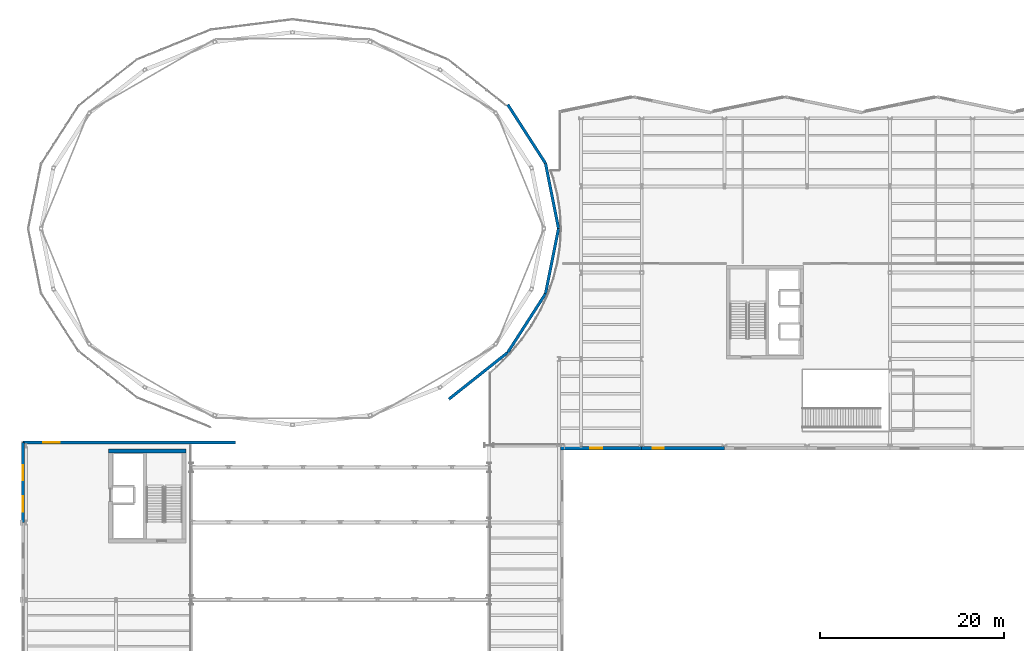
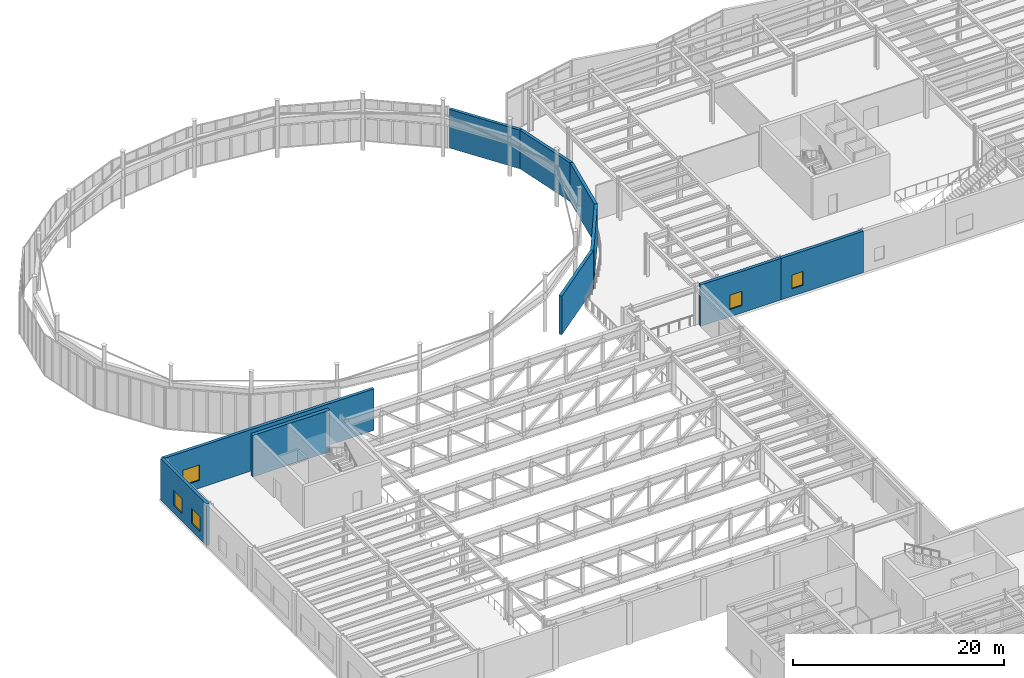
# One storey, part 74 of 91: 10 walls, 5 windows, 5 openings.
"""IFC4 building model written with IfcOpenShell, lengths in metres."""

from ifc_helpers import new_model, si_unit, direction, frame, frame_2d, origin, place, context, subcontext, project, spatial, rectangle, extrude, material, layer, layer_set, type_object, element, fill, save


model = new_model("IFC4")

# Units and contexts
model_context = context("Model", 3, precision=1e-05, world=origin(), true_north=direction((0.0, 1.0)))
body_context = subcontext(model_context, "Body", "Model", "MODEL_VIEW")
ifc_project = project(units=[si_unit("LENGTHUNIT", "METRE"), si_unit("AREAUNIT", "SQUARE_METRE"), si_unit("VOLUMEUNIT", "CUBIC_METRE"), si_unit("PLANEANGLEUNIT", "RADIAN"), si_unit("MASSUNIT", "GRAM", prefix="KILO")], contexts=[model_context])

# Site, building, storey
site_placement = place(None, origin())
site = spatial("IfcSite", under=ifc_project, at=site_placement, CompositionType="ELEMENT")
building_placement = place(site_placement, origin())
building = spatial("IfcBuilding", under=site, at=building_placement, Name="Sollismere Congress Hotel", CompositionType="ELEMENT")
storey_placement = place(building_placement, frame((0.0, 0.0, 10.800048828125)))
storey = spatial("IfcBuildingStorey", under=building, at=storey_placement, Name="L02", CompositionType="ELEMENT", Elevation=10.800048828125)

# Wall, opening, window
ifc_material_1 = material(Name="Colorado Buff Sandstone and Limestone Backup C40/50", Category="masonry")
ifc_layer_1 = layer(ifc_material_1, 0.340087890625, Name="Colorado Buff Sandstone and Limestone Backup C40/50")
ifc_layer_set_1 = layer_set([ifc_layer_1], Name="Colorado Buff Sandstone and Limestone Backup C40/50")
wall_type_1 = type_object("IfcWallType", Name="WL-EXT340", PredefinedType="STANDARD", material=ifc_layer_set_1)
wall_1_placement = place(storey_placement, frame((58.179931640625, 66.489990234375, 0.0), z_axis=(0.0, 0.0, 1.0), x_axis=(1.0, 0.0, 0.0)))
wall_1 = element("IfcWall", 1, at=wall_1_placement, inside=storey, type_object=wall_type_1, Name="Exterior wall EW-L02-049", PredefinedType="STANDARD", context=body_context, shape_type="SweptSolid", body=[
    extrude(rectangle(XDim=8.820068359375, YDim=0.340087890625, at=frame_2d((4.41015625, 0.0))), origin(), (0.0, 0.0, 1.0), 4.800048828125),
])
opening_1_placement = place(wall_1_placement, frame((3.199951171875, 0.0, 0.85009765625)))
opening_1 = element("IfcOpeningElement", 2, at=opening_1_placement, cuts=wall_1, Name="Opening W-L02-043", PredefinedType="OPENING", context=body_context, shape_type="SweptSolid", body=[
    extrude(rectangle(XDim=1.35009765625, YDim=1.64990234375, at=frame_2d((0.675048828125, 0.824951171875))), frame((0.0, 0.179931640625, 0.0), z_axis=(0.0, -1.0, 0.0), x_axis=(1.0, 0.0, 0.0)), (0.0, 0.0, 1.0), 0.360107421875),
])
ifc_material_2 = material(Name="Thermally Broken Bronze Aluminum & Low-E Glass", Category="aluminium")
window_type_1 = type_object("IfcWindowType", Name="WN-P135x165", PartitioningType="SINGLE_PANEL", PredefinedType="WINDOW", material=ifc_material_2)
window_1_placement = place(opening_1_placement, origin())
window_1 = element("IfcWindow", 3, at=window_1_placement, inside=storey, type_object=window_type_1, Name="WIN-W-L02-043", OverallHeight=1.64990234375, OverallWidth=1.35009765625, PartitioningType="SINGLE_PANEL", PredefinedType="WINDOW", context=body_context, shape_type="SweptSolid", body=[
    extrude(rectangle(XDim=1.35009765625, YDim=1.64990234375, at=frame_2d((0.675048828125, 0.824951171875))), frame((0.0, 0.030029296875, 0.0), z_axis=(0.0, -1.0, 0.0), x_axis=(1.0, 0.0, 0.0)), (0.0, 0.0, 1.0), 0.06005859375),
])
fill(opening_1, window_1)

wall_2_placement = place(storey_placement, frame((67.0, 66.489990234375, 0.0), z_axis=(0.0, 0.0, 1.0), x_axis=(1.0, 0.0, 0.0)))
wall_2 = element("IfcWall", 4, at=wall_2_placement, inside=storey, type_object=wall_type_1, Name="Exterior wall EW-L02-050", PredefinedType="STANDARD", context=body_context, shape_type="SweptSolid", body=[
    extrude(rectangle(XDim=9.0, YDim=0.340087890625, at=frame_2d((4.5, 0.0))), origin(), (0.0, 0.0, 1.0), 4.800048828125),
])
opening_2_placement = place(wall_2_placement, frame((1.199951171875, 0.0, 0.85009765625)))
opening_2 = element("IfcOpeningElement", 5, at=opening_2_placement, cuts=wall_2, Name="Opening W-L02-044", PredefinedType="OPENING", context=body_context, shape_type="SweptSolid", body=[
    extrude(rectangle(XDim=1.199951171875, YDim=1.60009765625, at=frame_2d((0.60009765625, 0.800048828125))), frame((0.0, 0.179931640625, 0.0), z_axis=(0.0, -1.0, 0.0), x_axis=(1.0, 0.0, 0.0)), (0.0, 0.0, 1.0), 0.360107421875),
])
window_type_2 = type_object("IfcWindowType", Name="WN-P120x160", PartitioningType="SINGLE_PANEL", PredefinedType="WINDOW", material=ifc_material_2)
window_2_placement = place(opening_2_placement, origin())
window_2 = element("IfcWindow", 6, at=window_2_placement, inside=storey, type_object=window_type_2, Name="WIN-W-L02-044", OverallHeight=1.60009765625, OverallWidth=1.199951171875, PartitioningType="SINGLE_PANEL", PredefinedType="WINDOW", context=body_context, shape_type="SweptSolid", body=[
    extrude(rectangle(XDim=1.199951171875, YDim=1.60009765625, at=frame_2d((0.60009765625, 0.800048828125))), frame((0.0, 0.030029296875, 0.0), z_axis=(0.0, -1.0, 0.0), x_axis=(1.0, 0.0, 0.0)), (0.0, 0.0, 1.0), 0.06005859375),
])
fill(opening_2, window_2)

# Wall, openings, windows
wall_3_placement = place(storey_placement, frame((-0.31005859375, 58.39990234375, 0.0), z_axis=(0.0, 0.0, 1.0), x_axis=(0.0, 1.0, 0.0)))
wall_3 = element("IfcWall", 7, at=wall_3_placement, inside=storey, type_object=wall_type_1, Name="Exterior wall EW-L02-153", PredefinedType="STANDARD", context=body_context, shape_type="SweptSolid", body=[
    extrude(rectangle(XDim=8.7001953125, YDim=0.340087890625, at=frame_2d((4.35009765625, 0.0))), origin(), (0.0, 0.0, 1.0), 4.800048828125),
])
opening_3_placement = place(wall_3_placement, frame((1.199951171875, 0.0, 0.85009765625)))
opening_3 = element("IfcOpeningElement", 8, at=opening_3_placement, cuts=wall_3, Name="Opening W-L02-136", PredefinedType="OPENING", context=body_context, shape_type="SweptSolid", body=[
    extrude(rectangle(XDim=1.64990234375, YDim=1.75, at=frame_2d((0.824951171875, 0.875))), frame((0.0, 0.179931640625, 0.0), z_axis=(0.0, -1.0, 0.0), x_axis=(1.0, 0.0, 0.0)), (0.0, 0.0, 1.0), 0.360107421875),
])
opening_4_placement = place(wall_3_placement, frame((4.60009765625, 0.0, 0.85009765625)))
opening_4 = element("IfcOpeningElement", 9, at=opening_4_placement, cuts=wall_3, Name="Opening W-L02-137", PredefinedType="OPENING", context=body_context, shape_type="SweptSolid", body=[
    extrude(rectangle(XDim=1.64990234375, YDim=1.75, at=frame_2d((0.824951171875, 0.875))), frame((0.0, 0.179931640625, 0.0), z_axis=(0.0, -1.0, 0.0), x_axis=(1.0, 0.0, 0.0)), (0.0, 0.0, 1.0), 0.360107421875),
])
window_type_3 = type_object("IfcWindowType", Name="WN-P165x175", PartitioningType="SINGLE_PANEL", PredefinedType="WINDOW", material=ifc_material_2)
window_3_placement = place(opening_3_placement, origin())
window_3 = element("IfcWindow", 10, at=window_3_placement, inside=storey, type_object=window_type_3, Name="WIN-W-L02-136", OverallHeight=1.75, OverallWidth=1.64990234375, PartitioningType="SINGLE_PANEL", PredefinedType="WINDOW", context=body_context, shape_type="SweptSolid", body=[
    extrude(rectangle(XDim=1.64990234375, YDim=1.75, at=frame_2d((0.824951171875, 0.875))), frame((0.0, 0.030029296875, 0.0), z_axis=(0.0, -1.0, 0.0), x_axis=(1.0, 0.0, 0.0)), (0.0, 0.0, 1.0), 0.06005859375),
])
fill(opening_3, window_3)
window_4_placement = place(opening_4_placement, origin())
window_4 = element("IfcWindow", 11, at=window_4_placement, inside=storey, type_object=window_type_3, Name="WIN-W-L02-137", OverallHeight=1.75, OverallWidth=1.64990234375, PartitioningType="SINGLE_PANEL", PredefinedType="WINDOW", context=body_context, shape_type="SweptSolid", body=[
    extrude(rectangle(XDim=1.64990234375, YDim=1.75, at=frame_2d((0.824951171875, 0.875))), frame((0.0, 0.030029296875, 0.0), z_axis=(0.0, -1.0, 0.0), x_axis=(1.0, 0.0, 0.0)), (0.0, 0.0, 1.0), 0.06005859375),
])
fill(opening_4, window_4)

# Wall, opening, window
wall_4_placement = place(storey_placement, frame((-0.300048828125, 67.110107421875, 0.0), z_axis=(0.0, 0.0, 1.0), x_axis=(1.0, 0.0, 0.0)))
wall_4 = element("IfcWall", 12, at=wall_4_placement, inside=storey, type_object=wall_type_1, Name="Exterior wall EW-L02-167", PredefinedType="STANDARD", context=body_context, shape_type="SweptSolid", body=[
    extrude(rectangle(XDim=23.10009765625, YDim=0.340087890625, at=frame_2d((11.550048828125, 0.0))), origin(), (0.0, 0.0, 1.0), 4.800048828125),
])
opening_5_placement = place(wall_4_placement, frame((2.199951171875, 0.0, 0.89990234375)))
opening_5 = element("IfcOpeningElement", 13, at=opening_5_placement, cuts=wall_4, Name="Opening W-L02-138", PredefinedType="OPENING", context=body_context, shape_type="SweptSolid", body=[
    extrude(rectangle(XDim=1.800048828125, YDim=1.800048828125, at=frame_2d((0.89990234375, 0.89990234375))), frame((0.0, 0.179931640625, 0.0), z_axis=(0.0, -1.0, 0.0), x_axis=(1.0, 0.0, 0.0)), (0.0, 0.0, 1.0), 0.360107421875),
])
window_type_4 = type_object("IfcWindowType", Name="WN-P180x180", PartitioningType="SINGLE_PANEL", PredefinedType="WINDOW", material=ifc_material_2)
window_5_placement = place(opening_5_placement, origin())
window_5 = element("IfcWindow", 14, at=window_5_placement, inside=storey, type_object=window_type_4, Name="WIN-W-L02-138", OverallHeight=1.800048828125, OverallWidth=1.800048828125, PartitioningType="SINGLE_PANEL", PredefinedType="WINDOW", context=body_context, shape_type="SweptSolid", body=[
    extrude(rectangle(XDim=1.800048828125, YDim=1.800048828125, at=frame_2d((0.89990234375, 0.89990234375))), frame((0.0, 0.030029296875, 0.0), z_axis=(0.0, -1.0, 0.0), x_axis=(1.0, 0.0, 0.0)), (0.0, 0.0, 1.0), 0.06005859375),
])
fill(opening_5, window_5)

# Walls
ifc_material_3 = material(Name="Concrete C50/60", Category="concrete")
ifc_layer_2 = layer(ifc_material_3, 0.39990234375, Name="Concrete C50/60")
ifc_layer_set_2 = layer_set([ifc_layer_2], Name="Concrete C50/60")
wall_type_2 = type_object("IfcWallType", Name="WL-SHR400", PredefinedType="SHEAR", material=ifc_layer_set_2)
wall_5_placement = place(storey_placement, frame((17.39990234375, 66.199951171875, 0.0), z_axis=(0.0, 0.0, 1.0), x_axis=(-1.0, 0.0, 0.0)))
element("IfcWall", 15, at=wall_5_placement, inside=storey, type_object=wall_type_2, Name="Interior wall IW-L02-0656", PredefinedType="SHEAR", context=body_context, shape_type="SweptSolid", body=[
    extrude(rectangle(XDim=8.39990234375, YDim=0.39990234375, at=frame_2d((4.199951171875, 0.0))), origin(), (0.0, 0.0, 1.0), 4.800048828125),
])
ifc_material_4 = material(Name="Acoustic Double-Wythe Concrete Block & Gypsum C40/50", Category="concrete")
ifc_layer_3 = layer(ifc_material_4, 0.320068359375, Name="Acoustic Double-Wythe Concrete Block & Gypsum C40/50")
ifc_layer_set_3 = layer_set([ifc_layer_3], Name="Acoustic Double-Wythe Concrete Block & Gypsum C40/50")
wall_type_3 = type_object("IfcWallType", Name="WL-SLD320I", PredefinedType="PARTITIONING", material=ifc_layer_set_3)
wall_6_placement = place(storey_placement, frame((57.949951171875, 90.39990234375, 0.0), z_axis=(0.0, 0.0, 1.0), x_axis=(-0.195895407339, 0.980624795415, 0.0)))
element("IfcWall", 16, at=wall_6_placement, inside=storey, type_object=wall_type_3, Name="Interior wall IW-L02-0751", PredefinedType="PARTITIONING", context=body_context, shape_type="SweptSolid", body=[
    extrude(rectangle(XDim=7.232177734375, YDim=0.320068359375, at=frame_2d((3.6162109375, 0.0))), origin(), (0.0, 0.0, 1.0), 4.474853515625),
])
wall_7_placement = place(storey_placement, frame((56.533203125, 97.491943359375, 0.0), z_axis=(0.0, 0.0, 1.0), x_axis=(-0.540710539792, 0.841208720924, 0.0)))
element("IfcWall", 17, at=wall_7_placement, inside=storey, type_object=wall_type_3, Name="Interior wall IW-L02-0752", PredefinedType="PARTITIONING", context=body_context, shape_type="SweptSolid", body=[
    extrude(rectangle(XDim=7.60546875, YDim=0.320068359375, at=frame_2d((3.802734375, 0.0))), origin(), (0.0, 0.0, 1.0), 4.474853515625),
])
wall_8_placement = place(storey_placement, frame((46.016357421875, 71.8330078125, 0.0), z_axis=(0.0, 0.0, 1.0), x_axis=(0.783621031074, 0.621239148524, 0.0)))
element("IfcWall", 18, at=wall_8_placement, inside=storey, type_object=wall_type_3, Name="Interior wall IW-L02-0753", PredefinedType="PARTITIONING", context=body_context, shape_type="SweptSolid", body=[
    extrude(rectangle(XDim=8.173095703125, YDim=0.320068359375, at=frame_2d((4.08642578125, 0.0))), origin(), (0.0, 0.0, 1.0), 4.474853515625),
])
wall_9_placement = place(storey_placement, frame((52.4208984375, 76.910400390625, 0.0), z_axis=(0.0, 0.0, 1.0), x_axis=(0.540710539792, 0.841208720924, 0.0)))
element("IfcWall", 19, at=wall_9_placement, inside=storey, type_object=wall_type_3, Name="Interior wall IW-L02-0754", PredefinedType="PARTITIONING", context=body_context, shape_type="SweptSolid", body=[
    extrude(rectangle(XDim=7.60546875, YDim=0.320068359375, at=frame_2d((3.802734375, 0.0))), origin(), (0.0, 0.0, 1.0), 4.474853515625),
])
wall_10_placement = place(storey_placement, frame((56.533203125, 83.30810546875, 0.0), z_axis=(0.0, 0.0, 1.0), x_axis=(0.195901892383, 0.980623499902, 0.0)))
element("IfcWall", 20, at=wall_10_placement, inside=storey, type_object=wall_type_3, Name="Interior wall IW-L02-0755", PredefinedType="PARTITIONING", context=body_context, shape_type="SweptSolid", body=[
    extrude(rectangle(XDim=7.23193359375, YDim=0.320068359375, at=frame_2d((3.615966796875, 0.0))), origin(), (0.0, 0.0, 1.0), 4.474853515625),
])

save(model, "model.ifc")
